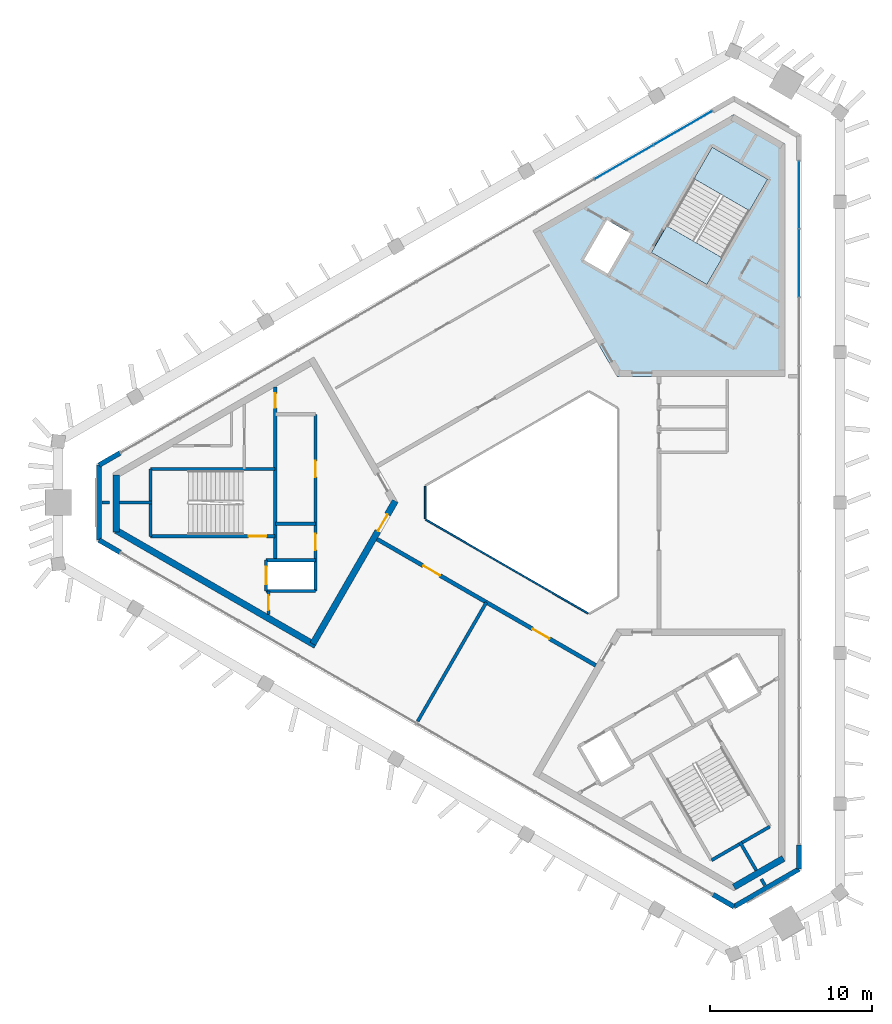
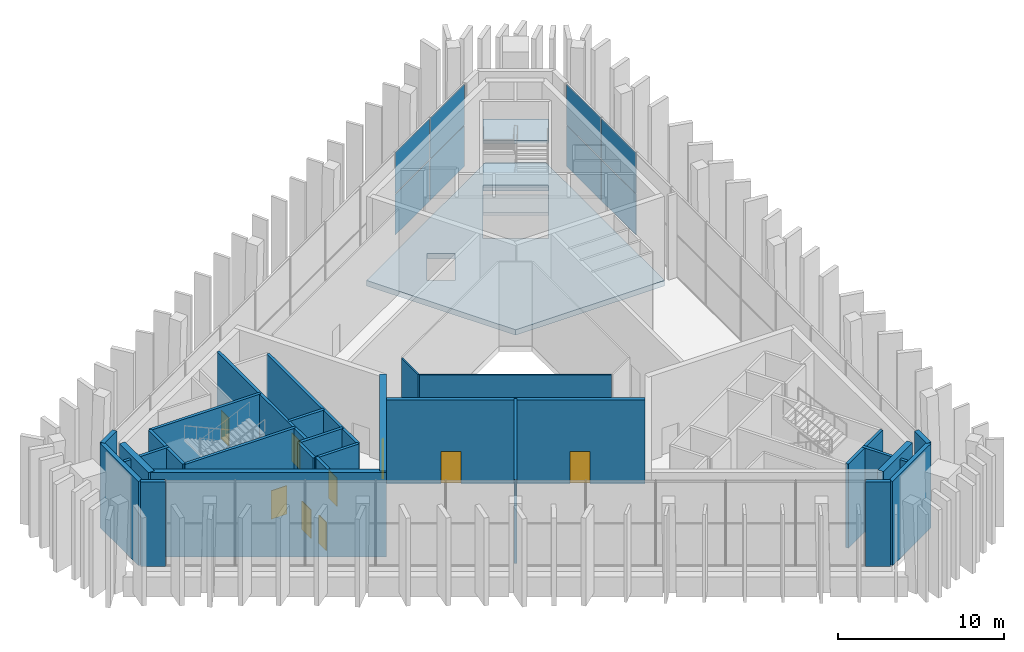
# One storey, part 8 of 13: 29 walls, 9 doors, 8 plates, 4 slabs, 9 openings, 3 elements without a shape of their own.
"""IFC4 building model written with IfcOpenShell, lengths in metres."""

import ifcopenshell
import ifcopenshell.guid

model = None  # the IFC model being written
_history = None  # IfcOwnerHistory: only IFC2X3 demands one
_inside = {}  # id of a spatial element -> (the spatial element, [elements in it])
_under = {}  # id of a project, library or spatial element -> (it, [spatial elements below it])
_declared = {}  # id of a project -> (the project, [libraries it declares])
_typed = {}  # id of a type object -> (the type object, [elements of that type])
_made_of = {}  # id of a material, layer set ... -> (it, [elements and type objects made of it])


def new_model(schema):
    """Start an empty IFC model of exactly this schema.

    Asked for "IFC4X3", IfcOpenShell would pick the latest addendum, in which some entities
    have other attributes; the version numbers below select the first issue.
    IFC2X3 requires an IfcOwnerHistory on every rooted entity: one is made here for all.
    """
    global model, _history
    if schema == "IFC4X3":
        model = ifcopenshell.file(schema_version=(4, 3, 0, 0))
    else:
        model = ifcopenshell.file(schema=schema)
    _inside.clear()
    _under.clear()
    _declared.clear()
    _typed.clear()
    _made_of.clear()
    _history = None
    if model.schema == "IFC2X3":
        org = make("IfcOrganization", Name="unknown")
        user = make(
            "IfcPersonAndOrganization",
            ThePerson=make("IfcPerson", FamilyName="unknown"),
            TheOrganization=org,
        )
        app = make(
            "IfcApplication",
            ApplicationDeveloper=org,
            Version="unknown",
            ApplicationFullName="unknown",
            ApplicationIdentifier="unknown",
        )
        _history = make(
            "IfcOwnerHistory",
            OwningUser=user,
            OwningApplication=app,
            ChangeAction="ADDED",
            CreationDate=0,
        )
    return model


def make(cls, **values):
    """One entity of the class cls with the attributes given. An attribute that is None is left unset."""
    return model.create_entity(
        cls, **{name: value for name, value in values.items() if value is not None}
    )


def rooted(cls, **values):
    """An entity with a GlobalId (a new one), such as an element, a storey or a relation."""
    return make(cls, GlobalId=ifcopenshell.guid.new(), OwnerHistory=_history, **values)


def si_unit(unit_type, name, prefix=None):
    """IfcSIUnit, for example si_unit("LENGTHUNIT", "METRE", prefix="MILLI")."""
    return make("IfcSIUnit", UnitType=unit_type, Prefix=prefix, Name=name)


def assignment(units):
    """IfcUnitAssignment: the units of a project."""
    return None if units is None else make("IfcUnitAssignment", Units=units)


def point(xyz):
    """IfcCartesianPoint."""
    return None if xyz is None else make("IfcCartesianPoint", Coordinates=xyz)


def direction(xyz):
    """IfcDirection."""
    return None if xyz is None else make("IfcDirection", DirectionRatios=xyz)


def frame(location, z_axis=None, x_axis=None):
    """IfcAxis2Placement3D, a coordinate frame: its origin and axes. An axis left out is left unset."""
    return make(
        "IfcAxis2Placement3D",
        Location=point(location),
        Axis=direction(z_axis),
        RefDirection=direction(x_axis),
    )


def frame_2d(location, x_axis=None):
    """IfcAxis2Placement2D, a coordinate frame in the plane: its origin and x axis."""
    return make(
        "IfcAxis2Placement2D", Location=point(location), RefDirection=direction(x_axis)
    )


def origin():
    """The frame at (0, 0, 0) with its axes left unset."""
    return frame((0.0, 0.0, 0.0))


def origin_2d():
    """The frame at (0, 0) in the plane with its x axis left unset."""
    return frame_2d((0.0, 0.0))


def place(relative_to, where):
    """IfcLocalPlacement: puts the frame where relative to a parent placement (None: the world)."""
    return make(
        "IfcLocalPlacement", PlacementRelTo=relative_to, RelativePlacement=where
    )


def context(
    kind, dimensions, precision=None, world=None, true_north=None, identifier=None
):
    """IfcGeometricRepresentationContext, for example the 3D "Model" context."""
    return make(
        "IfcGeometricRepresentationContext",
        ContextIdentifier=identifier,
        ContextType=kind,
        CoordinateSpaceDimension=dimensions,
        Precision=precision,
        WorldCoordinateSystem=world,
        TrueNorth=true_north,
    )


def subcontext(parent, identifier, kind, view, scale=None):
    """IfcGeometricRepresentationSubContext, for example "Body" below "Model"."""
    return make(
        "IfcGeometricRepresentationSubContext",
        ContextIdentifier=identifier,
        ContextType=kind,
        ParentContext=parent,
        TargetScale=scale,
        TargetView=view,
    )


def project(units=None, contexts=None):
    """IfcProject with its units and contexts."""
    return rooted(
        "IfcProject",
        Name="project",
        RepresentationContexts=contexts,
        UnitsInContext=assignment(units),
    )


def spatial(cls, under=None, at=None, **own):
    """A site, building, storey or space (cls), placed at a placement, below another one or the project."""
    s = rooted(cls, ObjectPlacement=at, **own)
    if under is not None:
        _under.setdefault(under.id(), (under, []))[1].append(s)
    return s


def polyline(points):
    """IfcPolyline through the points."""
    return make("IfcPolyline", Points=[point(p) for p in points])


def profile(cls, at=None, kind="AREA", **sizes):
    """A parametric profile (cls). Its sizes go by their IFC names, for example OverallWidth=200.0."""
    return make(cls, ProfileType=kind, Position=at, **sizes)


def rectangle(**sizes):
    """IfcRectangleProfileDef."""
    return profile("IfcRectangleProfileDef", **sizes)


def outline(outer, holes=None, kind="AREA"):
    """IfcArbitraryClosedProfileDef: a profile drawn as a closed curve; with holes, ...WithVoids."""
    if holes is None:
        return make("IfcArbitraryClosedProfileDef", ProfileType=kind, OuterCurve=outer)
    return make(
        "IfcArbitraryProfileDefWithVoids",
        ProfileType=kind,
        OuterCurve=outer,
        InnerCurves=holes,
    )


def extrude(swept, where, along, depth):
    """IfcExtrudedAreaSolid: the profile swept, set in the frame where, extruded along a direction by depth."""
    return make(
        "IfcExtrudedAreaSolid",
        SweptArea=swept,
        Position=where,
        ExtrudedDirection=direction(along),
        Depth=depth,
    )


def shape(context_of_items, identifier, shape_type, items):
    """IfcShapeRepresentation: the items that make up one representation, for example the "Body"."""
    return make(
        "IfcShapeRepresentation",
        ContextOfItems=context_of_items,
        RepresentationIdentifier=identifier,
        RepresentationType=shape_type,
        Items=items,
    )


def material(Name=None, Category=None):
    """IfcMaterial."""
    return make("IfcMaterial", Name=Name, Category=Category)


def layer(
    of_material, thickness, ventilated=None, Name=None, Category=None, Priority=None
):
    """IfcMaterialLayer: one layer of a wall or slab, of a material (None: an air gap)."""
    return make(
        "IfcMaterialLayer",
        Material=of_material,
        LayerThickness=thickness,
        IsVentilated=ventilated,
        Name=Name,
        Category=Category,
        Priority=Priority,
    )


def layer_set(layers, Name=None):
    """IfcMaterialLayerSet."""
    return make("IfcMaterialLayerSet", MaterialLayers=layers, LayerSetName=Name)


def made_of(thing, what):
    """Note that an element or type object is made of a material, layer set ...; save() writes the relation."""
    if what is not None:
        _made_of.setdefault(what.id(), (what, []))[1].append(thing)
    return thing


def type_object(cls, material=None, **own):
    """A type object (cls), such as IfcWallType, which elements share."""
    return made_of(rooted(cls, **own), material)


def element(
    cls,
    number,
    at=None,
    inside=None,
    cuts=None,
    type_object=None,
    material=None,
    context=None,
    identifier="Body",
    shape_type=None,
    held_by="IfcProductDefinitionShape",
    body=None,
    shapes=None,
    **own,
):
    """One element of the class cls, such as IfcWall. Its Tag is "e" and its number.

    at: its placement. inside: the storey or other place that contains it. cuts: it is an
    opening in that element (IfcRelVoidsElement). A single representation is given by context,
    identifier, shape_type and body (its items); several are given by shapes. held_by: the class
    of the entity that holds the representations. save() writes the other relations.
    """
    e = rooted(cls, Tag="e%d" % number, ObjectPlacement=at, **own)
    if body is not None:
        shapes = [shape(context, identifier, shape_type, body)]
    if shapes is not None:
        e.Representation = make(held_by, Representations=shapes)
    if inside is not None:
        _inside.setdefault(inside.id(), (inside, []))[1].append(e)
    if cuts is not None:
        rooted(
            "IfcRelVoidsElement", RelatingBuildingElement=cuts, RelatedOpeningElement=e
        )
    if type_object is not None:
        _typed.setdefault(type_object.id(), (type_object, []))[1].append(e)
    return made_of(e, material)


def fill(opening, filler):
    """IfcRelFillsElement: the door or window that sits in an opening."""
    return rooted(
        "IfcRelFillsElement",
        RelatingOpeningElement=opening,
        RelatedBuildingElement=filler,
    )


def aggregate(whole, parts):
    """IfcRelAggregates: a whole, such as a stair, and the parts it consists of."""
    return rooted("IfcRelAggregates", RelatingObject=whole, RelatedObjects=parts)


def save(model, path):
    """Write the relations noted so far, then the file.

    IfcRelAggregates (storeys below a building ...), IfcRelContainedInSpatialStructure (elements
    in a storey), IfcRelDefinesByType, IfcRelAssociatesMaterial and IfcRelDeclares: one each for
    every whole, place, type object, material and project.
    """
    for whole, parts in _under.values():
        aggregate(whole, parts)
    for where, things in _inside.values():
        rooted(
            "IfcRelContainedInSpatialStructure",
            RelatedElements=things,
            RelatingStructure=where,
        )
    for kind, things in _typed.values():
        rooted("IfcRelDefinesByType", RelatedObjects=things, RelatingType=kind)
    for what, things in _made_of.values():
        rooted("IfcRelAssociatesMaterial", RelatedObjects=things, RelatingMaterial=what)
    for by, libraries in _declared.values():
        rooted("IfcRelDeclares", RelatingContext=by, RelatedDefinitions=libraries)
    model.write(path)


model = new_model("IFC4")

# Units and contexts
model_context = context("Model", 3, precision=1e-05, world=origin(), true_north=direction((0.0, 1.0)))
body_context = subcontext(model_context, "Body", "Model", "MODEL_VIEW")
ifc_project = project(units=[si_unit("LENGTHUNIT", "METRE"), si_unit("AREAUNIT", "SQUARE_METRE"), si_unit("VOLUMEUNIT", "CUBIC_METRE"), si_unit("PLANEANGLEUNIT", "RADIAN"), si_unit("MASSUNIT", "GRAM", prefix="KILO")], contexts=[model_context])

# Site, building, storey
site_placement = place(None, origin())
site = spatial("IfcSite", under=ifc_project, at=site_placement, CompositionType="ELEMENT")
building_placement = place(site_placement, origin())
building = spatial("IfcBuilding", under=site, at=building_placement, Name="Jabali Bay Hotel Tower and Convention Centre", CompositionType="ELEMENT")
storey_placement = place(building_placement, frame((0.0, 0.0, 315.800048828125)))
storey = spatial("IfcBuildingStorey", under=building, at=storey_placement, Name="L77", CompositionType="ELEMENT", Elevation=315.800048828125)

# Curtain wall, plates
ifc_material_1 = material(Name="Aluminium and glass", Category="aluminium")
ifc_layer_1 = layer(ifc_material_1, 0.159912109375)
ifc_layer_set_1 = layer_set([ifc_layer_1], Name="Aluminium and glass")
curtain_wall_type = type_object("IfcCurtainWallType", Name="CW3 curtain wall", PredefinedType="NOTDEFINED", material=ifc_layer_set_1)
curtain_wall_1_placement = place(storey_placement, origin())
curtain_wall_1 = element("IfcCurtainWall", 1, at=curtain_wall_1_placement, inside=storey, type_object=curtain_wall_type, Name="CW3 curtain wall east face L77", PredefinedType="NOTDEFINED")
ifc_material_2 = material(Name="Glass", Category="glass")
ifc_layer_2 = layer(ifc_material_2, 0.028076171875)
ifc_layer_set_2 = layer_set([ifc_layer_2], Name="Glass")
plate_type = type_object("IfcPlateType", Name="CW3 glass panel 28", PredefinedType="CURTAIN_PANEL", material=ifc_layer_set_2)
plate_1_placement = place(storey_placement, frame((90.72998046875, 98.991455078125, 0.06005859375), z_axis=(0.0, 0.0, 1.0), x_axis=(0.0, -1.0, 0.0)))
plate_1 = element("IfcPlate", 2, at=plate_1_placement, type_object=plate_type, Name="CW3 panel 1.1", PredefinedType="CURTAIN_PANEL", context=body_context, shape_type="SweptSolid", body=[
    extrude(rectangle(XDim=4.1337890625, YDim=0.028076171875, at=origin_2d()), origin(), (0.0, 0.0, 1.0), 3.010009765625),
])
plate_2_placement = place(storey_placement, frame((90.72998046875, 98.991455078125, 3.1298828125), z_axis=(0.0, 0.0, 1.0), x_axis=(0.0, -1.0, 0.0)))
plate_2 = element("IfcPlate", 3, at=plate_2_placement, type_object=plate_type, Name="CW3 panel 1.2", PredefinedType="CURTAIN_PANEL", context=body_context, shape_type="SweptSolid", body=[
    extrude(rectangle(XDim=4.1337890625, YDim=0.028076171875, at=origin_2d()), origin(), (0.0, 0.0, 1.0), 3.010009765625),
])
plate_3_placement = place(storey_placement, frame((90.72998046875, 94.782958984375, 0.06005859375), z_axis=(0.0, 0.0, 1.0), x_axis=(0.0, -1.0, 0.0)))
plate_3 = element("IfcPlate", 4, at=plate_3_placement, type_object=plate_type, Name="CW3 panel 2.1", PredefinedType="CURTAIN_PANEL", context=body_context, shape_type="SweptSolid", body=[
    extrude(rectangle(XDim=4.16357421875, YDim=0.028076171875, at=origin_2d()), origin(), (0.0, 0.0, 1.0), 3.010009765625),
])
plate_4_placement = place(storey_placement, frame((90.72998046875, 94.782958984375, 3.1298828125), z_axis=(0.0, 0.0, 1.0), x_axis=(0.0, -1.0, 0.0)))
plate_4 = element("IfcPlate", 5, at=plate_4_placement, type_object=plate_type, Name="CW3 panel 2.2", PredefinedType="CURTAIN_PANEL", context=body_context, shape_type="SweptSolid", body=[
    extrude(rectangle(XDim=4.16357421875, YDim=0.028076171875, at=origin_2d()), origin(), (0.0, 0.0, 1.0), 3.010009765625),
])
aggregate(curtain_wall_1, [plate_1, plate_2, plate_3, plate_4])

curtain_wall_2_placement = place(storey_placement, origin())
curtain_wall_2 = element("IfcCurtainWall", 6, at=curtain_wall_2_placement, inside=storey, type_object=curtain_wall_type, Name="CW3 curtain wall north-west face L77", PredefinedType="NOTDEFINED")
plate_5_placement = place(storey_placement, frame((79.937255859375, 101.013916015625, 0.06005859375), z_axis=(0.0, 0.0, 1.0), x_axis=(0.866025401428, 0.500000004081, 0.0)))
plate_5 = element("IfcPlate", 7, at=plate_5_placement, type_object=plate_type, Name="CW3 panel 9.1", PredefinedType="CURTAIN_PANEL", context=body_context, shape_type="SweptSolid", body=[
    extrude(rectangle(XDim=4.16357421875, YDim=0.028076171875, at=origin_2d()), origin(), (0.0, 0.0, 1.0), 3.010009765625),
])
plate_6_placement = place(storey_placement, frame((79.937255859375, 101.013916015625, 3.1298828125), z_axis=(0.0, 0.0, 1.0), x_axis=(0.866025401428, 0.500000004081, 0.0)))
plate_6 = element("IfcPlate", 8, at=plate_6_placement, type_object=plate_type, Name="CW3 panel 9.2", PredefinedType="CURTAIN_PANEL", context=body_context, shape_type="SweptSolid", body=[
    extrude(rectangle(XDim=4.16357421875, YDim=0.028076171875, at=origin_2d()), origin(), (0.0, 0.0, 1.0), 3.010009765625),
])
plate_7_placement = place(storey_placement, frame((83.58203125, 103.118408203125, 0.06005859375), z_axis=(0.0, 0.0, 1.0), x_axis=(0.866025401428, 0.500000004081, 0.0)))
plate_7 = element("IfcPlate", 9, at=plate_7_placement, type_object=plate_type, Name="CW3 panel 10.1", PredefinedType="CURTAIN_PANEL", context=body_context, shape_type="SweptSolid", body=[
    extrude(rectangle(XDim=4.1337890625, YDim=0.028076171875, at=origin_2d()), origin(), (0.0, 0.0, 1.0), 3.010009765625),
])
plate_8_placement = place(storey_placement, frame((83.58203125, 103.118408203125, 3.1298828125), z_axis=(0.0, 0.0, 1.0), x_axis=(0.866025401428, 0.500000004081, 0.0)))
plate_8 = element("IfcPlate", 10, at=plate_8_placement, type_object=plate_type, Name="CW3 panel 10.2", PredefinedType="CURTAIN_PANEL", context=body_context, shape_type="SweptSolid", body=[
    extrude(rectangle(XDim=4.1337890625, YDim=0.028076171875, at=origin_2d()), origin(), (0.0, 0.0, 1.0), 3.010009765625),
])
aggregate(curtain_wall_2, [plate_5, plate_6, plate_7, plate_8])

# Slab
ifc_material_3 = material(Name="Concrete C40", Category="concrete")
ifc_layer_3 = layer(ifc_material_3, 0.39990234375)
ifc_layer_set_3 = layer_set([ifc_layer_3], Name="Concrete C40")
slab_type_1 = type_object("IfcSlabType", Name="Core floor slab 400", PredefinedType="FLOOR", material=ifc_layer_set_3)
slab_1_placement = place(storey_placement, frame((0.0, 0.0, -0.400146484375)))
element("IfcSlab", 11, at=slab_1_placement, inside=storey, type_object=slab_type_1, Name="Core floor slab 2 L77", PredefinedType="FLOOR", context=body_context, shape_type="SweptSolid", body=[
    extrude(outline(polyline([(79.5, 87.794189453125), (89.8798828125, 87.794189453125), (89.8798828125, 102.127685546875), (86.72314453125, 103.9501953125), (74.31005859375, 96.78369140625), (79.5, 87.794189453125)]), holes=[polyline([(78.93896484375, 94.12255859375), (80.364013671875, 96.5908203125), (78.891845703125, 97.440673828125), (77.466796875, 94.97265625), (78.93896484375, 94.12255859375)]), polyline([(88.80029296875, 99.952880859375), (85.379638671875, 101.927978515625), (82.584716796875, 97.0869140625), (86.00537109375, 95.11181640625), (88.80029296875, 99.952880859375)])]), origin(), (0.0, 0.0, 1.0), 0.400146484375),
])

# Stair, slabs
stair_type = type_object("IfcStairType", Name="Exit stair 1900", PredefinedType="HALF_TURN_STAIR", material=ifc_material_3)
stair_placement = place(storey_placement, origin())
stair = element("IfcStair", 12, at=stair_placement, inside=storey, type_object=stair_type, Name="L77 Exit Stair 2", PredefinedType="HALF_TURN_STAIR")
ifc_layer_4 = layer(ifc_material_3, 0.199951171875)
ifc_layer_set_4 = layer_set([ifc_layer_4], Name="Concrete C40")
slab_type_2 = type_object("IfcSlabType", Name="Stair landing 200", PredefinedType="LANDING", material=ifc_layer_set_4)
slab_2_placement = place(storey_placement, frame((0.0, 0.0, 1.425048828125)))
slab_2 = element("IfcSlab", 13, at=slab_2_placement, type_object=slab_type_2, Name="ST2 landing 1", PredefinedType="LANDING", context=body_context, shape_type="SweptSolid", body=[
    extrude(outline(polyline([(87.678955078125, 98.010498046875), (88.80029296875, 99.952880859375), (85.379638671875, 101.927978515625), (84.258056640625, 99.985595703125), (87.678955078125, 98.010498046875)])), origin(), (0.0, 0.0, 1.0), 0.199951171875),
])
slab_3_placement = place(storey_placement, frame((0.0, 0.0, 3.050048828125)))
slab_3 = element("IfcSlab", 14, at=slab_3_placement, type_object=slab_type_2, Name="ST2 landing 2", PredefinedType="LANDING", context=body_context, shape_type="SweptSolid", body=[
    extrude(outline(polyline([(85.05029296875, 93.457763671875), (86.001953125, 95.10595703125), (82.5810546875, 97.080810546875), (81.629638671875, 95.432861328125), (85.05029296875, 93.457763671875)])), origin(), (0.0, 0.0, 1.0), 0.199951171875),
])
slab_4_placement = place(storey_placement, frame((0.0, 0.0, 4.675048828125)))
slab_4 = element("IfcSlab", 15, at=slab_4_placement, type_object=slab_type_2, Name="ST2 landing 3", PredefinedType="LANDING", context=body_context, shape_type="SweptSolid", body=[
    extrude(outline(polyline([(87.678955078125, 98.010498046875), (88.80029296875, 99.952880859375), (85.379638671875, 101.927978515625), (84.258056640625, 99.985595703125), (87.678955078125, 98.010498046875)])), origin(), (0.0, 0.0, 1.0), 0.199951171875),
])
aggregate(stair, [slab_2, slab_3, slab_4])

# Walls
ifc_material_4 = material(Name="Fire-resistant glazing", Category="glass")
ifc_layer_5 = layer(ifc_material_4, 0.10009765625)
ifc_layer_set_5 = layer_set([ifc_layer_5], Name="Fire-resistant glazing")
wall_type_1 = type_object("IfcWallType", Name="Atrium glazed screen 100", PredefinedType="PARTITIONING", material=ifc_layer_set_5)
wall_1_placement = place(storey_placement, frame((67.672119140625, 81.0, 0.0), z_axis=(0.0, 0.0, 1.0), x_axis=(0.0, -1.0, 0.0)))
element("IfcWall", 16, at=wall_1_placement, inside=storey, type_object=wall_type_1, Name="Atrium screen 4 L77", PredefinedType="PARTITIONING", context=body_context, shape_type="SweptSolid", body=[
    extrude(rectangle(XDim=2.0, YDim=0.10009765625, at=frame_2d((1.0, 0.0))), origin(), (0.0, 0.0, 1.0), 6.199951171875),
])
wall_2_placement = place(storey_placement, frame((67.7021484375, 78.947998046875, 0.0), z_axis=(0.0, 0.0, 1.0), x_axis=(0.866026658274, -0.499997827154, 0.0)))
element("IfcWall", 17, at=wall_2_placement, inside=storey, type_object=wall_type_1, Name="Atrium screen 5 L77", PredefinedType="PARTITIONING", context=body_context, shape_type="SweptSolid", body=[
    extrude(rectangle(XDim=11.58837890625, YDim=0.10009765625, at=frame_2d((5.794189453125, 0.0))), origin(), (0.0, 0.0, 1.0), 6.199951171875),
])
ifc_layer_6 = layer(ifc_material_3, 0.199951171875)
ifc_layer_set_6 = layer_set([ifc_layer_6], Name="Concrete C40")
wall_type_2 = type_object("IfcWallType", Name="Core partition wall 200", PredefinedType="PARTITIONING", material=ifc_layer_set_6)
wall_3_placement = place(storey_placement, frame((50.820068359375, 80.0, 0.0), z_axis=(0.0, 0.0, 1.0), x_axis=(-1.0, 0.0, 0.0)))
element("IfcWall", 18, at=wall_3_placement, inside=storey, type_object=wall_type_2, Name="Core wall 0.3 L77", PredefinedType="PARTITIONING", context=body_context, shape_type="SweptSolid", body=[
    extrude(rectangle(XDim=2.023193359375, YDim=0.199951171875, at=frame_2d((1.01171875, 0.0))), origin(), (0.0, 0.0, 1.0), 6.199951171875),
])

# Wall, opening, door
wall_4_placement = place(storey_placement, frame((58.0, 74.550048828125, 0.0), z_axis=(0.0, 0.0, 1.0), x_axis=(0.0, -1.0, 0.0)))
wall_4 = element("IfcWall", 19, at=wall_4_placement, inside=storey, type_object=wall_type_2, Name="Core wall 0.10 L77", PredefinedType="PARTITIONING", context=body_context, shape_type="SweptSolid", body=[
    extrude(rectangle(XDim=1.455078125, YDim=0.199951171875, at=frame_2d((0.7275390625, 0.0))), origin(), (0.0, 0.0, 1.0), 6.199951171875),
])
opening_1_placement = place(wall_4_placement, frame((0.277587890625, 0.0, 0.0)))
opening_1 = element("IfcOpeningElement", 20, at=opening_1_placement, cuts=wall_4, Name="Opening D1715", PredefinedType="OPENING", context=body_context, shape_type="SweptSolid", body=[
    extrude(rectangle(XDim=0.89990234375, YDim=2.10009765625, at=frame_2d((0.449951171875, 1.050048828125))), frame((0.0, 0.1103515625, 0.0), z_axis=(0.0, -1.0, 0.0), x_axis=(1.0, 0.0, 0.0)), (0.0, 0.0, 1.0), 0.220947265625),
])
ifc_material_5 = material(Name="Fire-rated steel door", Category="steel")
door_type_1 = type_object("IfcDoorType", Name="Vestibule fire door 900 x 2100", OperationType="NOTDEFINED", PredefinedType="NOTDEFINED", material=ifc_material_5)
door_1_placement = place(opening_1_placement, origin())
door_1 = element("IfcDoor", 21, at=door_1_placement, inside=storey, type_object=door_type_1, Name="Vestibule fire door D1715", OperationType="SINGLE_SWING_LEFT", OverallHeight=2.10009765625, OverallWidth=0.89990234375, PredefinedType="NOTDEFINED", context=body_context, shape_type="SweptSolid", body=[
    extrude(rectangle(XDim=0.89990234375, YDim=2.10009765625, at=frame_2d((0.449951171875, 1.050048828125))), frame((0.0, 0.02490234375, 0.0), z_axis=(0.0, -1.0, 0.0), x_axis=(1.0, 0.0, 0.0)), (0.0, 0.0, 1.0), 0.050048828125),
])
fill(opening_1, door_1)

# Walls
wall_5_placement = place(storey_placement, frame((87.090087890625, 59.0595703125, 0.0), z_axis=(0.0, 0.0, 1.0), x_axis=(0.499941815747, -0.866058993873, 0.0)))
element("IfcWall", 22, at=wall_5_placement, inside=storey, type_object=wall_type_2, Name="Core wall 2.4 L77", PredefinedType="PARTITIONING", context=body_context, shape_type="SweptSolid", body=[
    extrude(rectangle(XDim=2.023193359375, YDim=0.199951171875, at=frame_2d((1.01171875, 0.0))), origin(), (0.0, 0.0, 1.0), 6.199951171875),
])
ifc_layer_7 = layer(ifc_material_3, 0.199951171875)
ifc_layer_set_7 = layer_set([ifc_layer_7], Name="Concrete C40")
wall_type_3 = type_object("IfcWallType", Name="Core stair wall 200", PredefinedType="SOLIDWALL", material=ifc_layer_set_7)
wall_6_placement = place(storey_placement, frame((58.419921875, 82.074951171875, 0.0), z_axis=(0.0, 0.0, 1.0), x_axis=(-1.0, 0.0, 0.0)))
element("IfcWall", 23, at=wall_6_placement, inside=storey, type_object=wall_type_3, Name="Core wall 0.2 L77", PredefinedType="SOLIDWALL", context=body_context, shape_type="SweptSolid", body=[
    extrude(rectangle(XDim=7.699951171875, YDim=0.199951171875, at=frame_2d((3.85009765625, 0.0))), origin(), (0.0, 0.0, 1.0), 6.199951171875),
])
wall_7_placement = place(storey_placement, frame((60.89990234375, 78.699951171875, 0.0), z_axis=(0.0, 0.0, 1.0), x_axis=(-1.0, 0.0, 0.0)))
element("IfcWall", 24, at=wall_7_placement, inside=storey, type_object=wall_type_3, Name="Core wall 0.4 L77", PredefinedType="SOLIDWALL", context=body_context, shape_type="SweptSolid", body=[
    extrude(rectangle(XDim=2.47998046875, YDim=0.199951171875, at=frame_2d((1.239990234375, 0.0))), origin(), (0.0, 0.0, 1.0), 6.199951171875),
])

# Wall, opening, door
wall_8_placement = place(storey_placement, frame((58.419921875, 77.925048828125, 0.0), z_axis=(0.0, 0.0, 1.0), x_axis=(-1.0, 0.0, 0.0)))
wall_8 = element("IfcWall", 25, at=wall_8_placement, inside=storey, type_object=wall_type_3, Name="Core wall 0.5 L77", PredefinedType="SOLIDWALL", context=body_context, shape_type="SweptSolid", body=[
    extrude(rectangle(XDim=7.699951171875, YDim=0.199951171875, at=frame_2d((3.85009765625, 0.0))), origin(), (0.0, 0.0, 1.0), 6.199951171875),
])
opening_2_placement = place(wall_8_placement, frame((0.550048828125, 0.0, 0.0)))
opening_2 = element("IfcOpeningElement", 26, at=opening_2_placement, cuts=wall_8, Name="Opening D1717", PredefinedType="OPENING", context=body_context, shape_type="SweptSolid", body=[
    extrude(rectangle(XDim=1.10009765625, YDim=2.10009765625, at=frame_2d((0.550048828125, 1.050048828125))), frame((0.0, 0.1103515625, 0.0), z_axis=(0.0, -1.0, 0.0), x_axis=(1.0, 0.0, 0.0)), (0.0, 0.0, 1.0), 0.220947265625),
])
door_type_2 = type_object("IfcDoorType", Name="Stair fire door 1100 x 2100", OperationType="NOTDEFINED", PredefinedType="NOTDEFINED", material=ifc_material_5)
door_2_placement = place(opening_2_placement, origin())
door_2 = element("IfcDoor", 27, at=door_2_placement, inside=storey, type_object=door_type_2, Name="Stair fire door D1717", OperationType="SINGLE_SWING_RIGHT", OverallHeight=2.10009765625, OverallWidth=1.10009765625, PredefinedType="NOTDEFINED", context=body_context, shape_type="SweptSolid", body=[
    extrude(rectangle(XDim=1.10009765625, YDim=2.10009765625, at=frame_2d((0.550048828125, 1.050048828125))), frame((0.0, 0.02490234375, 0.0), z_axis=(0.0, -1.0, 0.0), x_axis=(1.0, 0.0, 0.0)), (0.0, 0.0, 1.0), 0.050048828125),
])
fill(opening_2, door_2)

# Walls
for number, where, z_axis, x_axis, name in (
    (28, (60.89990234375, 76.449951171875, 0.0), (0.0, 0.0, 1.0), (-1.0, 0.0, 0.0), "Core wall 0.6 L77"),
    (29, (60.89990234375, 74.550048828125, 0.0), (0.0, 0.0, 1.0), (-1.0, 0.0, 0.0), "Core wall 0.7 L77"),
):
    element("IfcWall", number, at=place(storey_placement, frame(where, z_axis=z_axis, x_axis=x_axis)), inside=storey, type_object=wall_type_3, Name=name, PredefinedType="SOLIDWALL", context=body_context, shape_type="SweptSolid", body=[
        extrude(rectangle(XDim=3.0498046875, YDim=0.199951171875, at=frame_2d((1.52490234375, 0.0))), origin(), (0.0, 0.0, 1.0), 6.199951171875),
    ])

# Wall, openings, doors
wall_9_placement = place(storey_placement, frame((60.89990234375, 85.449951171875, 0.0), z_axis=(0.0, 0.0, 1.0), x_axis=(0.0, -1.0, 0.0)))
wall_9 = element("IfcWall", 30, at=wall_9_placement, inside=storey, type_object=wall_type_3, Name="Core wall 0.8 L77", PredefinedType="SOLIDWALL", context=body_context, shape_type="SweptSolid", body=[
    extrude(rectangle(XDim=10.89990234375, YDim=0.199951171875, at=frame_2d((5.449951171875, 0.0))), origin(), (0.0, 0.0, 1.0), 6.199951171875),
])
opening_3_placement = place(wall_9_placement, frame((2.875, 0.0, 0.0)))
opening_3 = element("IfcOpeningElement", 31, at=opening_3_placement, cuts=wall_9, Name="Opening D1712", PredefinedType="OPENING", context=body_context, shape_type="SweptSolid", body=[
    extrude(rectangle(XDim=1.0, YDim=2.10009765625, at=frame_2d((0.5, 1.050048828125))), frame((0.0, 0.1103515625, 0.0), z_axis=(0.0, -1.0, 0.0), x_axis=(1.0, 0.0, 0.0)), (0.0, 0.0, 1.0), 0.220947265625),
])
opening_4_placement = place(wall_9_placement, frame((7.375, 0.0, 0.0)))
opening_4 = element("IfcOpeningElement", 32, at=opening_4_placement, cuts=wall_9, Name="Opening D1713", PredefinedType="OPENING", context=body_context, shape_type="SweptSolid", body=[
    extrude(rectangle(XDim=1.0, YDim=2.10009765625, at=frame_2d((0.5, 1.050048828125))), frame((0.0, 0.1103515625, 0.0), z_axis=(0.0, -1.0, 0.0), x_axis=(1.0, 0.0, 0.0)), (0.0, 0.0, 1.0), 0.220947265625),
])
door_type_3 = type_object("IfcDoorType", Name="Core room door 1000 x 2100", OperationType="NOTDEFINED", PredefinedType="NOTDEFINED", material=ifc_material_5)
door_3_placement = place(opening_3_placement, origin())
door_3 = element("IfcDoor", 33, at=door_3_placement, inside=storey, type_object=door_type_3, Name="Core room door D1712", OperationType="SINGLE_SWING_RIGHT", OverallHeight=2.10009765625, OverallWidth=1.0, PredefinedType="NOTDEFINED", context=body_context, shape_type="SweptSolid", body=[
    extrude(rectangle(XDim=1.0, YDim=2.10009765625, at=frame_2d((0.5, 1.050048828125))), frame((0.0, 0.02490234375, 0.0), z_axis=(0.0, -1.0, 0.0), x_axis=(1.0, 0.0, 0.0)), (0.0, 0.0, 1.0), 0.050048828125),
])
fill(opening_3, door_3)
door_4_placement = place(opening_4_placement, origin())
door_4 = element("IfcDoor", 34, at=door_4_placement, inside=storey, type_object=door_type_3, Name="Core room door D1713", OperationType="SINGLE_SWING_RIGHT", OverallHeight=2.10009765625, OverallWidth=1.0, PredefinedType="NOTDEFINED", context=body_context, shape_type="SweptSolid", body=[
    extrude(rectangle(XDim=1.0, YDim=2.10009765625, at=frame_2d((0.5, 1.050048828125))), frame((0.0, 0.02490234375, 0.0), z_axis=(0.0, -1.0, 0.0), x_axis=(1.0, 0.0, 0.0)), (0.0, 0.0, 1.0), 0.050048828125),
])
fill(opening_4, door_4)

# Wall, opening, door
wall_10_placement = place(storey_placement, frame((58.419921875, 87.147705078125, 0.0), z_axis=(0.0, 0.0, 1.0), x_axis=(0.0, -1.0, 0.0)))
wall_10 = element("IfcWall", 35, at=wall_10_placement, inside=storey, type_object=wall_type_3, Name="Core wall 0.9 L77", PredefinedType="SOLIDWALL", context=body_context, shape_type="SweptSolid", body=[
    extrude(rectangle(XDim=10.69775390625, YDim=0.199951171875, at=frame_2d((5.348876953125, 0.0))), origin(), (0.0, 0.0, 1.0), 6.199951171875),
])
opening_5_placement = place(wall_10_placement, frame((0.398681640625, 0.0, 0.0)))
opening_5 = element("IfcOpeningElement", 36, at=opening_5_placement, cuts=wall_10, Name="Opening D1716", PredefinedType="OPENING", context=body_context, shape_type="SweptSolid", body=[
    extrude(rectangle(XDim=0.89990234375, YDim=2.10009765625, at=frame_2d((0.449951171875, 1.050048828125))), frame((0.0, 0.1103515625, 0.0), z_axis=(0.0, -1.0, 0.0), x_axis=(1.0, 0.0, 0.0)), (0.0, 0.0, 1.0), 0.220947265625),
])
door_5_placement = place(opening_5_placement, origin())
door_5 = element("IfcDoor", 37, at=door_5_placement, inside=storey, type_object=door_type_1, Name="Vestibule fire door D1716", OperationType="SINGLE_SWING_LEFT", OverallHeight=2.10009765625, OverallWidth=0.89990234375, PredefinedType="NOTDEFINED", context=body_context, shape_type="SweptSolid", body=[
    extrude(rectangle(XDim=0.89990234375, YDim=2.10009765625, at=frame_2d((0.449951171875, 1.050048828125))), frame((0.0, 0.02490234375, 0.0), z_axis=(0.0, -1.0, 0.0), x_axis=(1.0, 0.0, 0.0)), (0.0, 0.0, 1.0), 0.050048828125),
])
fill(opening_5, door_5)

wall_11_placement = place(storey_placement, frame((57.85009765625, 76.449951171875, 0.0), z_axis=(0.0, 0.0, 1.0), x_axis=(0.0, -1.0, 0.0)))
wall_11 = element("IfcWall", 38, at=wall_11_placement, inside=storey, type_object=wall_type_3, Name="Core wall 0.11 L77", PredefinedType="SOLIDWALL", context=body_context, shape_type="SweptSolid", body=[
    extrude(rectangle(XDim=1.89990234375, YDim=0.199951171875, at=frame_2d((0.949951171875, 0.0))), origin(), (0.0, 0.0, 1.0), 6.199951171875),
])
opening_6_placement = place(wall_11_placement, frame((0.39990234375, 0.0, 0.0)))
opening_6 = element("IfcOpeningElement", 39, at=opening_6_placement, cuts=wall_11, Name="Opening LD5-L77", PredefinedType="OPENING", context=body_context, shape_type="SweptSolid", body=[
    extrude(rectangle(XDim=1.10009765625, YDim=2.10009765625, at=frame_2d((0.550048828125, 1.050048828125))), frame((0.0, 0.1103515625, 0.0), z_axis=(0.0, -1.0, 0.0), x_axis=(1.0, 0.0, 0.0)), (0.0, 0.0, 1.0), 0.220947265625),
])
ifc_material_6 = material(Name="Stainless steel landing door", Category="steel")
door_type_4 = type_object("IfcDoorType", Name="Landing door 1100 x 2100", OperationType="NOTDEFINED", PredefinedType="NOTDEFINED", material=ifc_material_6)
door_6_placement = place(opening_6_placement, origin())
door_6 = element("IfcDoor", 40, at=door_6_placement, inside=storey, type_object=door_type_4, Name="Landing doors LD5-L77", OperationType="SLIDING_TO_RIGHT", OverallHeight=2.10009765625, OverallWidth=1.10009765625, PredefinedType="NOTDEFINED", context=body_context, shape_type="SweptSolid", body=[
    extrude(rectangle(XDim=1.10009765625, YDim=2.10009765625, at=frame_2d((0.550048828125, 1.050048828125))), frame((0.0, 0.02490234375, 0.0), z_axis=(0.0, -1.0, 0.0), x_axis=(1.0, 0.0, 0.0)), (0.0, 0.0, 1.0), 0.050048828125),
])
fill(opening_6, door_6)

# Walls
wall_12_placement = place(storey_placement, frame((50.719970703125, 82.074951171875, 0.0), z_axis=(0.0, 0.0, 1.0), x_axis=(0.0, -1.0, 0.0)))
element("IfcWall", 41, at=wall_12_placement, inside=storey, type_object=wall_type_3, Name="Core wall 0.14 L77", PredefinedType="SOLIDWALL", context=body_context, shape_type="SweptSolid", body=[
    extrude(rectangle(XDim=4.14990234375, YDim=0.199951171875, at=frame_2d((2.074951171875, 0.0))), origin(), (0.0, 0.0, 1.0), 6.199951171875),
])
wall_13_placement = place(storey_placement, frame((85.343017578125, 57.935302734375, 0.0), z_axis=(0.0, 0.0, 1.0), x_axis=(0.866004344652, 0.500036473714, 0.0)))
element("IfcWall", 42, at=wall_13_placement, inside=storey, type_object=wall_type_3, Name="Core wall 2.16 L77", PredefinedType="SOLIDWALL", context=body_context, shape_type="SweptSolid", body=[
    extrude(rectangle(XDim=4.150146484375, YDim=0.199951171875, at=frame_2d((2.0751953125, 0.0))), origin(), (0.0, 0.0, 1.0), 6.199951171875),
])
ifc_material_7 = material(Name="Concrete C60", Category="concrete")
ifc_layer_8 = layer(ifc_material_7, 0.39990234375)
ifc_layer_set_8 = layer_set([ifc_layer_8], Name="Concrete C60")
wall_type_4 = type_object("IfcWallType", Name="Core wall 400", PredefinedType="SHEAR", material=ifc_layer_set_8)
wall_14_placement = place(storey_placement, frame((48.596923828125, 81.707275390625, 0.0), z_axis=(0.0, 0.0, 1.0), x_axis=(0.0, -1.0, 0.0)))
element("IfcWall", 43, at=wall_14_placement, inside=storey, type_object=wall_type_4, Name="Core wall 1.3 L77", PredefinedType="SHEAR", context=body_context, shape_type="SweptSolid", body=[
    extrude(rectangle(XDim=3.530029296875, YDim=0.39990234375, at=frame_2d((1.76513671875, 0.0))), origin(), (0.0, 0.0, 1.0), 6.199951171875),
])
wall_15_placement = place(storey_placement, frame((48.596923828125, 78.292724609375, 0.0), z_axis=(0.0, 0.0, 1.0), x_axis=(0.866026024469, -0.499998924941, 0.0)))
element("IfcWall", 44, at=wall_15_placement, inside=storey, type_object=wall_type_4, Name="Core wall 1.4 L77", PredefinedType="SHEAR", context=body_context, shape_type="SweptSolid", body=[
    extrude(rectangle(XDim=14.2177734375, YDim=0.39990234375, at=frame_2d((7.10888671875, 0.0))), origin(), (0.0, 0.0, 1.0), 6.199951171875),
])

# Wall, opening, door
wall_16_placement = place(storey_placement, frame((60.73681640625, 71.283935546875, 0.0), z_axis=(0.0, 0.0, 1.0), x_axis=(0.50000547566, 0.866022242388, 0.0)))
wall_16 = element("IfcWall", 45, at=wall_16_placement, inside=storey, type_object=wall_type_4, Name="Core wall 1.5 L77", PredefinedType="SHEAR", context=body_context, shape_type="SweptSolid", body=[
    extrude(rectangle(XDim=10.18017578125, YDim=0.39990234375, at=frame_2d((5.090087890625, 0.0))), origin(), (0.0, 0.0, 1.0), 6.199951171875),
])
opening_7_placement = place(wall_16_placement, frame((8.030029296875, 0.0, 0.0)))
opening_7 = element("IfcOpeningElement", 46, at=opening_7_placement, cuts=wall_16, Name="Opening D1711", PredefinedType="OPENING", context=body_context, shape_type="SweptSolid", body=[
    extrude(rectangle(XDim=1.199951171875, YDim=2.10009765625, at=frame_2d((0.60009765625, 1.050048828125))), frame((0.0, 0.21044921875, 0.0), z_axis=(0.0, -1.0, 0.0), x_axis=(1.0, 0.0, 0.0)), (0.0, 0.0, 1.0), 0.4208984375),
])
door_type_5 = type_object("IfcDoorType", Name="Corridor end fire door 1200 x 2100", OperationType="NOTDEFINED", PredefinedType="NOTDEFINED", material=ifc_material_5)
door_7_placement = place(opening_7_placement, origin())
door_7 = element("IfcDoor", 47, at=door_7_placement, inside=storey, type_object=door_type_5, Name="Corridor end fire door D1711", OperationType="SINGLE_SWING_LEFT", OverallHeight=2.10009765625, OverallWidth=1.199951171875, PredefinedType="NOTDEFINED", context=body_context, shape_type="SweptSolid", body=[
    extrude(rectangle(XDim=1.199951171875, YDim=2.10009765625, at=frame_2d((0.60009765625, 1.050048828125))), frame((0.0, 0.02490234375, 0.0), z_axis=(0.0, -1.0, 0.0), x_axis=(1.0, 0.0, 0.0)), (0.0, 0.0, 1.0), 0.050048828125),
])
fill(opening_7, door_7)

# Wall
wall_17_placement = place(storey_placement, frame((86.72314453125, 56.28076171875, 0.0), z_axis=(0.0, 0.0, 1.0), x_axis=(0.866025485263, 0.499999858875, 0.0)))
element("IfcWall", 48, at=wall_17_placement, inside=storey, type_object=wall_type_4, Name="Core wall 3.3 L77", PredefinedType="SHEAR", context=body_context, shape_type="SweptSolid", body=[
    extrude(rectangle(XDim=3.52978515625, YDim=0.39990234375, at=frame_2d((1.764892578125, 0.0))), origin(), (0.0, 0.0, 1.0), 6.199951171875),
])

# Wall, openings, doors
ifc_layer_9 = layer(ifc_material_7, 0.25)
ifc_layer_set_9 = layer_set([ifc_layer_9], Name="Concrete C60")
wall_type_5 = type_object("IfcWallType", Name="Corridor wall 250", PredefinedType="SHEAR", material=ifc_layer_set_9)
wall_18_placement = place(storey_placement, frame((64.699951171875, 77.748291015625, 0.0), z_axis=(0.0, 0.0, 1.0), x_axis=(0.866026492143, -0.499998114903, 0.0)))
wall_18 = element("IfcWall", 49, at=wall_18_placement, inside=storey, type_object=wall_type_5, Name="Corridor wall 3 L77", PredefinedType="SHEAR", context=body_context, shape_type="SweptSolid", body=[
    extrude(rectangle(XDim=15.58837890625, YDim=0.25, at=frame_2d((7.794189453125, 0.0))), origin(), (0.0, 0.0, 1.0), 6.199951171875),
])
opening_8_placement = place(wall_18_placement, frame((3.297119140625, 0.0, 0.0)))
opening_8 = element("IfcOpeningElement", 50, at=opening_8_placement, cuts=wall_18, Name="Opening 7707", PredefinedType="OPENING", context=body_context, shape_type="SweptSolid", body=[
    extrude(rectangle(XDim=1.199951171875, YDim=2.39990234375, at=frame_2d((0.60009765625, 1.199951171875))), frame((0.0, 0.135498046875, 0.0), z_axis=(0.0, -1.0, 0.0), x_axis=(1.0, 0.0, 0.0)), (0.0, 0.0, 1.0), 0.27099609375),
])
opening_9_placement = place(wall_18_placement, frame((11.09130859375, 0.0, 0.0)))
opening_9 = element("IfcOpeningElement", 51, at=opening_9_placement, cuts=wall_18, Name="Opening 7708", PredefinedType="OPENING", context=body_context, shape_type="SweptSolid", body=[
    extrude(rectangle(XDim=1.199951171875, YDim=2.39990234375, at=frame_2d((0.60009765625, 1.199951171875))), frame((0.0, 0.135498046875, 0.0), z_axis=(0.0, -1.0, 0.0), x_axis=(1.0, 0.0, 0.0)), (0.0, 0.0, 1.0), 0.27099609375),
])
ifc_material_8 = material(Name="Timber", Category="wood")
door_type_6 = type_object("IfcDoorType", Name="Public room door 1200 x 2400", OperationType="NOTDEFINED", PredefinedType="NOTDEFINED", material=ifc_material_8)
door_8_placement = place(opening_8_placement, origin())
door_8 = element("IfcDoor", 52, at=door_8_placement, inside=storey, type_object=door_type_6, Name="Door 7707", OperationType="SINGLE_SWING_LEFT", OverallHeight=2.39990234375, OverallWidth=1.199951171875, PredefinedType="NOTDEFINED", context=body_context, shape_type="SweptSolid", body=[
    extrude(rectangle(XDim=1.199951171875, YDim=2.39990234375, at=frame_2d((0.60009765625, 1.199951171875))), frame((0.0, 0.02490234375, 0.0), z_axis=(0.0, -1.0, 0.0), x_axis=(1.0, 0.0, 0.0)), (0.0, 0.0, 1.0), 0.050048828125),
])
fill(opening_8, door_8)
door_9_placement = place(opening_9_placement, origin())
door_9 = element("IfcDoor", 53, at=door_9_placement, inside=storey, type_object=door_type_6, Name="Door 7708", OperationType="SINGLE_SWING_RIGHT", OverallHeight=2.39990234375, OverallWidth=1.199951171875, PredefinedType="NOTDEFINED", context=body_context, shape_type="SweptSolid", body=[
    extrude(rectangle(XDim=1.199951171875, YDim=2.39990234375, at=frame_2d((0.60009765625, 1.199951171875))), frame((0.0, 0.02490234375, 0.0), z_axis=(0.0, -1.0, 0.0), x_axis=(1.0, 0.0, 0.0)), (0.0, 0.0, 1.0), 0.050048828125),
])
fill(opening_9, door_9)

# Walls
ifc_layer_10 = layer(ifc_material_3, 0.300048828125)
ifc_layer_set_10 = layer_set([ifc_layer_10], Name="Concrete C40")
wall_type_6 = type_object("IfcWallType", Name="External wall 300", PredefinedType="SOLIDWALL", material=ifc_layer_set_10)
wall_19_placement = place(storey_placement, frame((47.546875, 77.6865234375, 0.0), z_axis=(0.0, 0.0, 1.0), x_axis=(0.0, 1.0, 0.0)))
element("IfcWall", 54, at=wall_19_placement, inside=storey, type_object=wall_type_6, Name="External wall west chamfer L77", PredefinedType="SOLIDWALL", context=body_context, shape_type="SweptSolid", body=[
    extrude(rectangle(XDim=4.626953125, YDim=0.300048828125, at=frame_2d((2.3134765625, 0.0))), origin(), (0.0, 0.0, 1.0), 6.199951171875),
])
wall_20_placement = place(storey_placement, frame((90.72998046875, 57.381591796875, 0.0), z_axis=(0.0, 0.0, 1.0), x_axis=(-0.866036202628, -0.499981295388, 0.0)))
element("IfcWall", 55, at=wall_20_placement, inside=storey, type_object=wall_type_6, Name="External wall south-east chamfer L77", PredefinedType="SOLIDWALL", context=body_context, shape_type="SweptSolid", body=[
    extrude(rectangle(XDim=4.626708984375, YDim=0.300048828125, at=frame_2d((2.3134765625, 0.0))), origin(), (0.0, 0.0, 1.0), 6.199951171875),
])
for number, where, z_axis, x_axis, name in (
    (56, (90.72998046875, 58.881591796875, 0.0), (0.0, 0.0, 1.0), (0.0, -1.0, 0.0), "External wall east face L77"),
    (57, (47.546875, 82.3134765625, 0.0), (0.0, 0.0, 1.0), (0.866031096941, 0.499990139034, 0.0), "External wall north-west face L77"),
    (58, (48.845947265625, 76.9365234375, 0.0), (0.0, 0.0, 1.0), (-0.866031096941, 0.499990139034, 0.0), "External wall south-west face L77"),
    (59, (86.72314453125, 55.068359375, 0.0), (0.0, 0.0, 1.0), (-0.866031096941, 0.499990139034, 0.0), "External wall south-west face L77"),
):
    element("IfcWall", number, at=place(storey_placement, frame(where, z_axis=z_axis, x_axis=x_axis)), inside=storey, type_object=wall_type_6, Name=name, PredefinedType="SOLIDWALL", context=body_context, shape_type="SweptSolid", body=[
        extrude(rectangle(XDim=1.5, YDim=0.300048828125, at=frame_2d((0.75, 0.0))), origin(), (0.0, 0.0, 1.0), 6.199951171875),
    ])
ifc_material_9 = material(Name="Plasterboard on steel stud", Category="steel")
ifc_layer_11 = layer(ifc_material_9, 0.199951171875)
ifc_layer_set_11 = layer_set([ifc_layer_11], Name="Plasterboard on steel stud")
wall_type_7 = type_object("IfcWallType", Name="Partition 200 party", PredefinedType="PARTITIONING", material=ifc_layer_set_11)
for number, where, z_axis, x_axis, name in (
    (60, (88.412353515625, 56.77099609375, 0.0), (0.0, 0.0, 1.0), (0.499906209203, -0.866079547155, 0.0), "Partition P01 L77 004"),
    (61, (47.717041015625, 80.0009765625, 0.0), (0.0, 0.0, 1.0), (1.0, 0.0, 0.0), "Partition P01 L77 008"),
):
    element("IfcWall", number, at=place(storey_placement, frame(where, z_axis=z_axis, x_axis=x_axis)), inside=storey, type_object=wall_type_7, Name=name, PredefinedType="PARTITIONING", context=body_context, shape_type="SweptSolid", body=[
        extrude(rectangle(XDim=0.4599609375, YDim=0.199951171875, at=frame_2d((0.22998046875, 0.0))), origin(), (0.0, 0.0, 1.0), 6.199951171875),
    ])
wall_21_placement = place(storey_placement, frame((67.20947265625, 66.50634765625, 0.0), z_axis=(0.0, 0.0, 1.0), x_axis=(0.499987416453, 0.866032668777, 0.0)))
element("IfcWall", 62, at=wall_21_placement, inside=storey, type_object=wall_type_7, Name="Partition P01 L77 009", PredefinedType="PARTITIONING", context=body_context, shape_type="SweptSolid", body=[
    extrude(rectangle(XDim=8.481201171875, YDim=0.199951171875, at=frame_2d((4.24072265625, 0.0))), origin(), (0.0, 0.0, 1.0), 6.199951171875),
])

save(model, "model.ifc")
